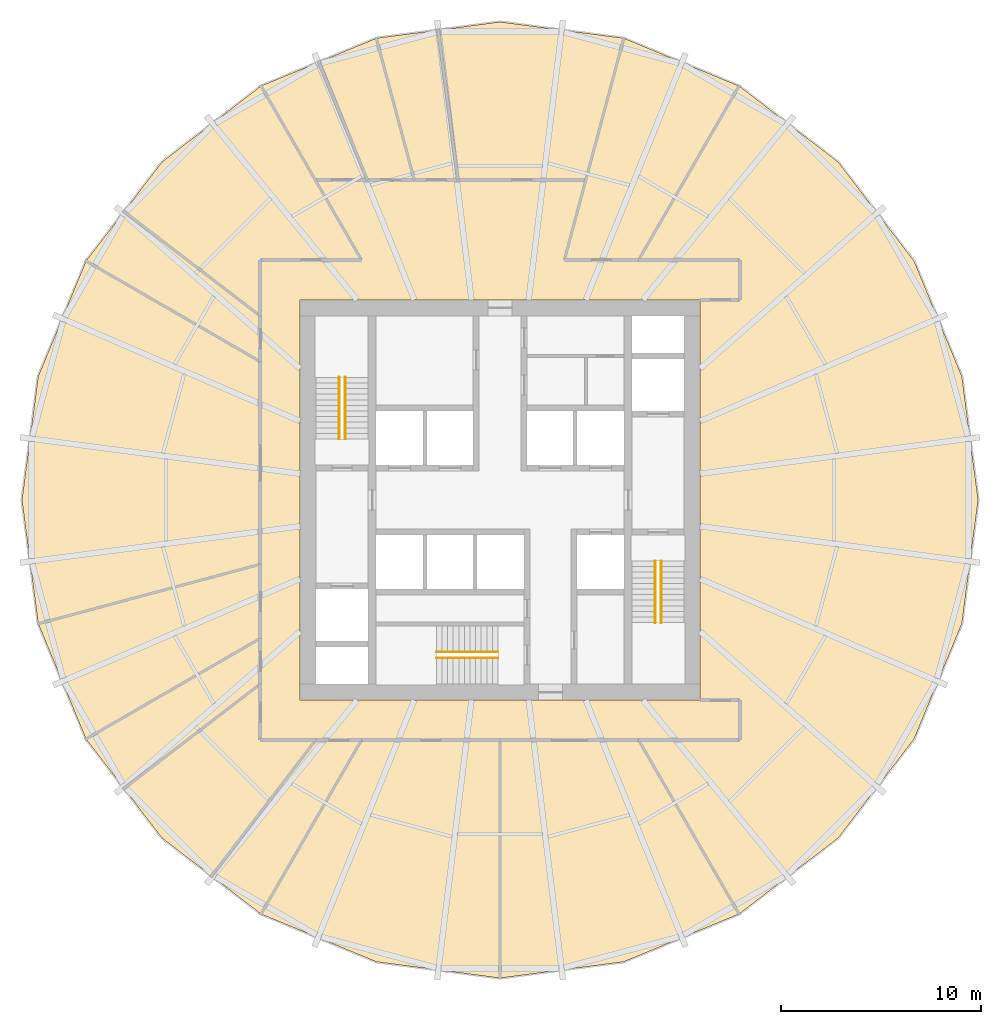
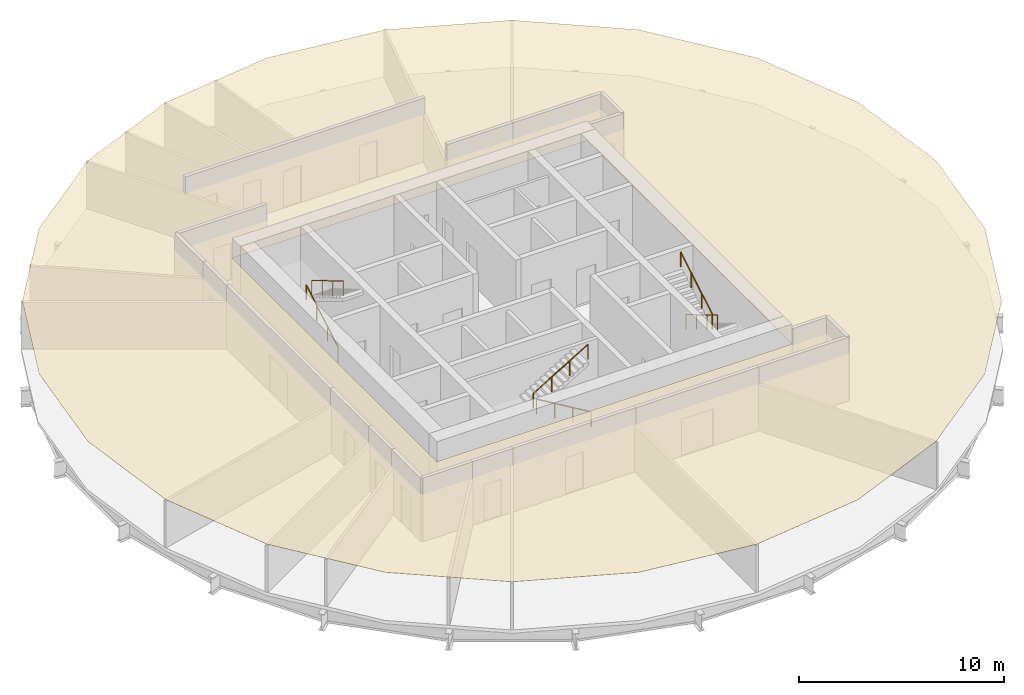
# One storey, part 6 of 6: 6 railings, 1 covering.
"""IFC4 building model written with IfcOpenShell, lengths in metres."""

from ifc_helpers import new_model, si_unit, direction, frame, origin, origin_2d, place, context, subcontext, project, spatial, polyline, circle, outline, extrude, material, layer, layer_set, type_object, element, save


model = new_model("IFC4")

# Units and contexts
model_context = context("Model", 3, precision=1e-05, world=origin(), true_north=direction((0.0, 1.0)))
body_context = subcontext(model_context, "Body", "Model", "MODEL_VIEW")
ifc_project = project(units=[si_unit("LENGTHUNIT", "METRE"), si_unit("AREAUNIT", "SQUARE_METRE"), si_unit("VOLUMEUNIT", "CUBIC_METRE"), si_unit("PLANEANGLEUNIT", "RADIAN"), si_unit("MASSUNIT", "GRAM", prefix="KILO")], contexts=[model_context])

# Site, building, storey
site_placement = place(None, origin())
site = spatial("IfcSite", under=ifc_project, at=site_placement, CompositionType="ELEMENT")
building_placement = place(site_placement, origin())
building = spatial("IfcBuilding", under=site, at=building_placement, Name="Golbaran Civic Tower", CompositionType="ELEMENT")
storey_placement = place(building_placement, frame((0.0, 0.0, 77.0)))
storey = spatial("IfcBuildingStorey", under=building, at=storey_placement, Name="L18", CompositionType="ELEMENT", Elevation=77.0)

# Railings
ifc_material_1 = material(Name="Stainless steel", Category="steel")
railing_type = type_object("IfcRailingType", Name="STAIR HANDRAIL 900", PredefinedType="HANDRAIL", material=ifc_material_1)
railing_1_placement = place(storey_placement, frame((-8.050048828125, 3.050048828125, 0.166748046875)))
element("IfcRailing", 1, at=railing_1_placement, inside=storey, type_object=railing_type, Name="Stair S1 handrail flight 1 L18", PredefinedType="HANDRAIL", context=body_context, shape_type="SweptSolid", body=[
    extrude(circle(Radius=0.02392578125, at=origin_2d()), frame((0.0, 0.0, 0.8759765625), z_axis=(0.0, 0.859290745958, 0.51148745235), x_axis=(-1.0, 0.0, 0.0)), (0.0, 0.0, 1.0), 3.584228515625),
    extrude(circle(Radius=0.02099609375, at=origin_2d()), origin(), (0.0, 0.0, 1.0), 0.851806640625),
    extrude(circle(Radius=0.02099609375, at=origin_2d()), frame((0.0, 1.026611328125, 0.611083984375)), (0.0, 0.0, 1.0), 0.851806640625),
    extrude(circle(Radius=0.02099609375, at=origin_2d()), frame((0.0, 2.05322265625, 1.22216796875)), (0.0, 0.0, 1.0), 0.851806640625),
    extrude(circle(Radius=0.02099609375, at=origin_2d()), frame((0.0, 3.079833984375, 1.833251953125)), (0.0, 0.0, 1.0), 0.851806640625),
])
for number, where, name in (
    (2, (-7.75, 6.1298828125, 2.166748046875), "Stair S1 handrail flight 2 L18"),
    (3, (8.050048828125, -3.050048828125, 0.166748046875), "Stair S2 handrail flight 1 L18"),
):
    element("IfcRailing", number, at=place(storey_placement, frame(where)), inside=storey, type_object=railing_type, Name=name, PredefinedType="HANDRAIL", context=body_context, shape_type="SweptSolid", body=[
        extrude(circle(Radius=0.02392578125, at=origin_2d()), frame((0.0, 0.0, 0.8759765625), z_axis=(0.0, -0.859290745958, 0.51148745235), x_axis=(1.0, 0.0, 0.0)), (0.0, 0.0, 1.0), 3.584228515625),
        extrude(circle(Radius=0.02099609375, at=origin_2d()), origin(), (0.0, 0.0, 1.0), 0.851806640625),
        extrude(circle(Radius=0.02099609375, at=origin_2d()), frame((0.0, -1.026611328125, 0.611083984375)), (0.0, 0.0, 1.0), 0.851806640625),
        extrude(circle(Radius=0.02099609375, at=origin_2d()), frame((0.0, -2.05322265625, 1.22216796875)), (0.0, 0.0, 1.0), 0.851806640625),
        extrude(circle(Radius=0.02099609375, at=origin_2d()), frame((0.0, -3.079833984375, 1.833251953125)), (0.0, 0.0, 1.0), 0.851806640625),
    ])
railing_2_placement = place(storey_placement, frame((7.75, -6.1298828125, 2.166748046875)))
element("IfcRailing", 4, at=railing_2_placement, inside=storey, type_object=railing_type, Name="Stair S2 handrail flight 2 L18", PredefinedType="HANDRAIL", context=body_context, shape_type="SweptSolid", body=[
    extrude(circle(Radius=0.02392578125, at=origin_2d()), frame((0.0, 0.0, 0.8759765625), z_axis=(0.0, 0.859290745958, 0.51148745235), x_axis=(-1.0, 0.0, 0.0)), (0.0, 0.0, 1.0), 3.584228515625),
    extrude(circle(Radius=0.02099609375, at=origin_2d()), origin(), (0.0, 0.0, 1.0), 0.851806640625),
    extrude(circle(Radius=0.02099609375, at=origin_2d()), frame((0.0, 1.026611328125, 0.611083984375)), (0.0, 0.0, 1.0), 0.851806640625),
    extrude(circle(Radius=0.02099609375, at=origin_2d()), frame((0.0, 2.05322265625, 1.22216796875)), (0.0, 0.0, 1.0), 0.851806640625),
    extrude(circle(Radius=0.02099609375, at=origin_2d()), frame((0.0, 3.079833984375, 1.833251953125)), (0.0, 0.0, 1.0), 0.851806640625),
])
railing_3_placement = place(storey_placement, frame((-0.10009765625, -7.89990234375, 0.166748046875)))
element("IfcRailing", 5, at=railing_3_placement, inside=storey, type_object=railing_type, Name="Stair S3 handrail flight 1 L18", PredefinedType="HANDRAIL", context=body_context, shape_type="SweptSolid", body=[
    extrude(circle(Radius=0.02392578125, at=origin_2d()), frame((0.0, 0.0, 0.8759765625), z_axis=(-0.859290745958, 0.0, 0.51148745235), x_axis=(0.0, -1.0, 0.0)), (0.0, 0.0, 1.0), 3.584228515625),
    extrude(circle(Radius=0.02099609375, at=origin_2d()), origin(), (0.0, 0.0, 1.0), 0.851806640625),
    extrude(circle(Radius=0.02099609375, at=origin_2d()), frame((-1.026611328125, 0.0, 0.611083984375)), (0.0, 0.0, 1.0), 0.851806640625),
    extrude(circle(Radius=0.02099609375, at=origin_2d()), frame((-2.05322265625, 0.0, 1.22216796875)), (0.0, 0.0, 1.0), 0.851806640625),
    extrude(circle(Radius=0.02099609375, at=origin_2d()), frame((-3.079833984375, 0.0, 1.833251953125)), (0.0, 0.0, 1.0), 0.851806640625),
])
railing_4_placement = place(storey_placement, frame((-3.179931640625, -7.60009765625, 2.166748046875)))
element("IfcRailing", 6, at=railing_4_placement, inside=storey, type_object=railing_type, Name="Stair S3 handrail flight 2 L18", PredefinedType="HANDRAIL", context=body_context, shape_type="SweptSolid", body=[
    extrude(circle(Radius=0.02392578125, at=origin_2d()), frame((0.0, 0.0, 0.8759765625), z_axis=(0.859290745958, 0.0, 0.51148745235), x_axis=(0.0, 1.0, 0.0)), (0.0, 0.0, 1.0), 3.584228515625),
    extrude(circle(Radius=0.02099609375, at=origin_2d()), origin(), (0.0, 0.0, 1.0), 0.851806640625),
    extrude(circle(Radius=0.02099609375, at=origin_2d()), frame((1.026611328125, 0.0, 0.611083984375)), (0.0, 0.0, 1.0), 0.851806640625),
    extrude(circle(Radius=0.02099609375, at=origin_2d()), frame((2.05322265625, 0.0, 1.22216796875)), (0.0, 0.0, 1.0), 0.851806640625),
    extrude(circle(Radius=0.02099609375, at=origin_2d()), frame((3.079833984375, 0.0, 1.833251953125)), (0.0, 0.0, 1.0), 0.851806640625),
])

# Covering
ifc_material_2 = material(Name="Mineral fibre tile on steel grid", Category="steel")
ifc_layer = layer(ifc_material_2, 0.02001953125, Name="Mineral fibre tile on steel grid")
ifc_layer_set = layer_set([ifc_layer], Name="Mineral fibre tile on steel grid")
covering_type = type_object("IfcCoveringType", Name="SUSPENDED CEILING 600 TILE 20", PredefinedType="CEILING", material=ifc_layer_set)
covering_placement = place(storey_placement, frame((0.0, 0.0, 2.800048828125)))
element("IfcCovering", 7, at=covering_placement, inside=storey, type_object=covering_type, Name="Suspended ceiling L18", PredefinedType="CEILING", context=body_context, shape_type="SweptSolid", body=[
    extrude(outline(polyline([(-20.70068359375, 11.951416015625), (-16.90185546875, 16.90185546875), (-11.951416015625, 20.70068359375), (-6.1865234375, 23.088623046875), (-3.241943359375, 23.47607421875), (0.0, 23.903076171875), (6.1865234375, 23.088623046875), (11.951416015625, 20.70068359375), (16.90185546875, 16.90185546875), (20.70068359375, 11.951416015625), (23.088623046875, 6.1865234375), (23.903076171875, 0.0), (23.088623046875, -6.1865234375), (20.70068359375, -11.951416015625), (16.90185546875, -16.90185546875), (11.951416015625, -20.70068359375), (6.1865234375, -23.088623046875), (0.0, -23.903076171875), (-6.1865234375, -23.088623046875), (-11.951416015625, -20.70068359375), (-16.90185546875, -16.90185546875), (-20.70068359375, -11.951416015625), (-23.088623046875, -6.1865234375), (-23.903076171875, 0.0), (-23.088623046875, 6.1865234375), (-20.70068359375, 11.951416015625)]), holes=[polyline([(-10.0, -10.0), (10.0, -10.0), (10.0, 10.0), (-10.0, 10.0), (-10.0, -10.0)])]), origin(), (0.0, 0.0, 1.0), 0.02001953125),
])

save(model, "model.ifc")
